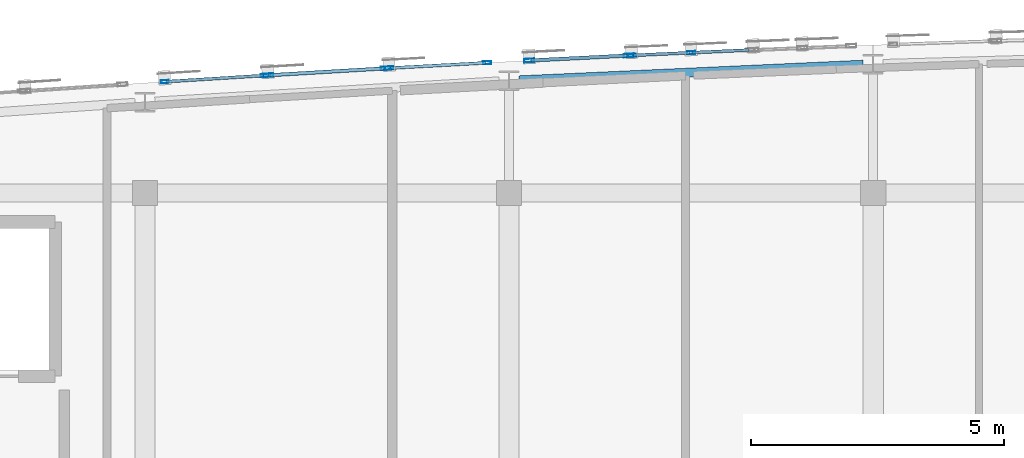
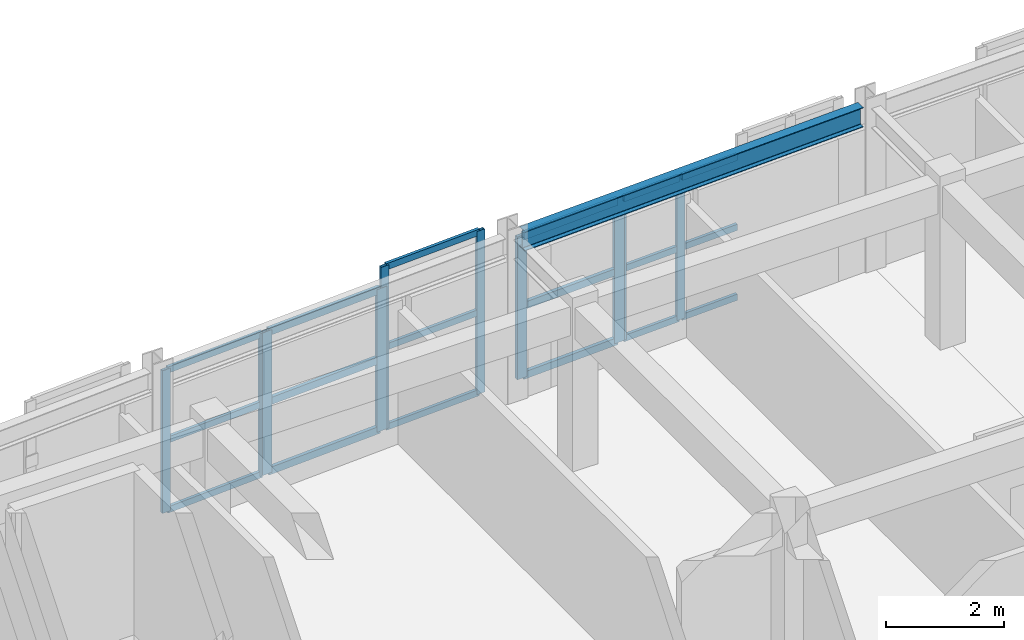
# One storey, part 12 of 34: 28 members, 1 beam, 5 elements without a shape of their own.
"""IFC4 building model written with IfcOpenShell, lengths in metres."""

import ifcopenshell
import ifcopenshell.guid

model = None  # the IFC model being written
_history = None  # IfcOwnerHistory: only IFC2X3 demands one
_inside = {}  # id of a spatial element -> (the spatial element, [elements in it])
_under = {}  # id of a project, library or spatial element -> (it, [spatial elements below it])
_declared = {}  # id of a project -> (the project, [libraries it declares])
_typed = {}  # id of a type object -> (the type object, [elements of that type])
_made_of = {}  # id of a material, layer set ... -> (it, [elements and type objects made of it])


def new_model(schema):
    """Start an empty IFC model of exactly this schema.

    Asked for "IFC4X3", IfcOpenShell would pick the latest addendum, in which some entities
    have other attributes; the version numbers below select the first issue.
    IFC2X3 requires an IfcOwnerHistory on every rooted entity: one is made here for all.
    """
    global model, _history
    if schema == "IFC4X3":
        model = ifcopenshell.file(schema_version=(4, 3, 0, 0))
    else:
        model = ifcopenshell.file(schema=schema)
    _inside.clear()
    _under.clear()
    _declared.clear()
    _typed.clear()
    _made_of.clear()
    _history = None
    if model.schema == "IFC2X3":
        org = make("IfcOrganization", Name="unknown")
        user = make(
            "IfcPersonAndOrganization",
            ThePerson=make("IfcPerson", FamilyName="unknown"),
            TheOrganization=org,
        )
        app = make(
            "IfcApplication",
            ApplicationDeveloper=org,
            Version="unknown",
            ApplicationFullName="unknown",
            ApplicationIdentifier="unknown",
        )
        _history = make(
            "IfcOwnerHistory",
            OwningUser=user,
            OwningApplication=app,
            ChangeAction="ADDED",
            CreationDate=0,
        )
    return model


def make(cls, **values):
    """One entity of the class cls with the attributes given. An attribute that is None is left unset."""
    return model.create_entity(
        cls, **{name: value for name, value in values.items() if value is not None}
    )


def rooted(cls, **values):
    """An entity with a GlobalId (a new one), such as an element, a storey or a relation."""
    return make(cls, GlobalId=ifcopenshell.guid.new(), OwnerHistory=_history, **values)


def si_unit(unit_type, name, prefix=None):
    """IfcSIUnit, for example si_unit("LENGTHUNIT", "METRE", prefix="MILLI")."""
    return make("IfcSIUnit", UnitType=unit_type, Prefix=prefix, Name=name)


def assignment(units):
    """IfcUnitAssignment: the units of a project."""
    return None if units is None else make("IfcUnitAssignment", Units=units)


def point(xyz):
    """IfcCartesianPoint."""
    return None if xyz is None else make("IfcCartesianPoint", Coordinates=xyz)


def direction(xyz):
    """IfcDirection."""
    return None if xyz is None else make("IfcDirection", DirectionRatios=xyz)


def frame(location, z_axis=None, x_axis=None):
    """IfcAxis2Placement3D, a coordinate frame: its origin and axes. An axis left out is left unset."""
    return make(
        "IfcAxis2Placement3D",
        Location=point(location),
        Axis=direction(z_axis),
        RefDirection=direction(x_axis),
    )


def frame_2d(location, x_axis=None):
    """IfcAxis2Placement2D, a coordinate frame in the plane: its origin and x axis."""
    return make(
        "IfcAxis2Placement2D", Location=point(location), RefDirection=direction(x_axis)
    )


def origin():
    """The frame at (0, 0, 0) with its axes left unset."""
    return frame((0.0, 0.0, 0.0))


def origin_2d():
    """The frame at (0, 0) in the plane with its x axis left unset."""
    return frame_2d((0.0, 0.0))


def place(relative_to, where):
    """IfcLocalPlacement: puts the frame where relative to a parent placement (None: the world)."""
    return make(
        "IfcLocalPlacement", PlacementRelTo=relative_to, RelativePlacement=where
    )


def context(
    kind, dimensions, precision=None, world=None, true_north=None, identifier=None
):
    """IfcGeometricRepresentationContext, for example the 3D "Model" context."""
    return make(
        "IfcGeometricRepresentationContext",
        ContextIdentifier=identifier,
        ContextType=kind,
        CoordinateSpaceDimension=dimensions,
        Precision=precision,
        WorldCoordinateSystem=world,
        TrueNorth=true_north,
    )


def subcontext(parent, identifier, kind, view, scale=None):
    """IfcGeometricRepresentationSubContext, for example "Body" below "Model"."""
    return make(
        "IfcGeometricRepresentationSubContext",
        ContextIdentifier=identifier,
        ContextType=kind,
        ParentContext=parent,
        TargetScale=scale,
        TargetView=view,
    )


def project(units=None, contexts=None):
    """IfcProject with its units and contexts."""
    return rooted(
        "IfcProject",
        Name="project",
        RepresentationContexts=contexts,
        UnitsInContext=assignment(units),
    )


def spatial(cls, under=None, at=None, **own):
    """A site, building, storey or space (cls), placed at a placement, below another one or the project."""
    s = rooted(cls, ObjectPlacement=at, **own)
    if under is not None:
        _under.setdefault(under.id(), (under, []))[1].append(s)
    return s


def profile(cls, at=None, kind="AREA", **sizes):
    """A parametric profile (cls). Its sizes go by their IFC names, for example OverallWidth=200.0."""
    return make(cls, ProfileType=kind, Position=at, **sizes)


def hollow_rectangle(**sizes):
    """IfcRectangleHollowProfileDef."""
    return profile("IfcRectangleHollowProfileDef", **sizes)


def i_section(**sizes):
    """IfcIShapeProfileDef."""
    return profile("IfcIShapeProfileDef", **sizes)


def extrude(swept, where, along, depth):
    """IfcExtrudedAreaSolid: the profile swept, set in the frame where, extruded along a direction by depth."""
    return make(
        "IfcExtrudedAreaSolid",
        SweptArea=swept,
        Position=where,
        ExtrudedDirection=direction(along),
        Depth=depth,
    )


def shape(context_of_items, identifier, shape_type, items):
    """IfcShapeRepresentation: the items that make up one representation, for example the "Body"."""
    return make(
        "IfcShapeRepresentation",
        ContextOfItems=context_of_items,
        RepresentationIdentifier=identifier,
        RepresentationType=shape_type,
        Items=items,
    )


def material(Name=None, Category=None):
    """IfcMaterial."""
    return make("IfcMaterial", Name=Name, Category=Category)


def layer(
    of_material, thickness, ventilated=None, Name=None, Category=None, Priority=None
):
    """IfcMaterialLayer: one layer of a wall or slab, of a material (None: an air gap)."""
    return make(
        "IfcMaterialLayer",
        Material=of_material,
        LayerThickness=thickness,
        IsVentilated=ventilated,
        Name=Name,
        Category=Category,
        Priority=Priority,
    )


def layer_set(layers, Name=None):
    """IfcMaterialLayerSet."""
    return make("IfcMaterialLayerSet", MaterialLayers=layers, LayerSetName=Name)


def material_profile(
    of_material, cross_section, Name=None, Category=None, Priority=None
):
    """IfcMaterialProfile: a cross section and its material."""
    return make(
        "IfcMaterialProfile",
        Name=Name,
        Material=of_material,
        Profile=cross_section,
        Priority=Priority,
        Category=Category,
    )


def profile_set(profiles, Name=None, composite=None):
    """IfcMaterialProfileSet."""
    return make(
        "IfcMaterialProfileSet",
        Name=Name,
        MaterialProfiles=profiles,
        CompositeProfile=composite,
    )


def made_of(thing, what):
    """Note that an element or type object is made of a material, layer set ...; save() writes the relation."""
    if what is not None:
        _made_of.setdefault(what.id(), (what, []))[1].append(thing)
    return thing


def type_object(cls, material=None, **own):
    """A type object (cls), such as IfcWallType, which elements share."""
    return made_of(rooted(cls, **own), material)


def element(
    cls,
    number,
    at=None,
    inside=None,
    cuts=None,
    type_object=None,
    material=None,
    context=None,
    identifier="Body",
    shape_type=None,
    held_by="IfcProductDefinitionShape",
    body=None,
    shapes=None,
    **own,
):
    """One element of the class cls, such as IfcWall. Its Tag is "e" and its number.

    at: its placement. inside: the storey or other place that contains it. cuts: it is an
    opening in that element (IfcRelVoidsElement). A single representation is given by context,
    identifier, shape_type and body (its items); several are given by shapes. held_by: the class
    of the entity that holds the representations. save() writes the other relations.
    """
    e = rooted(cls, Tag="e%d" % number, ObjectPlacement=at, **own)
    if body is not None:
        shapes = [shape(context, identifier, shape_type, body)]
    if shapes is not None:
        e.Representation = make(held_by, Representations=shapes)
    if inside is not None:
        _inside.setdefault(inside.id(), (inside, []))[1].append(e)
    if cuts is not None:
        rooted(
            "IfcRelVoidsElement", RelatingBuildingElement=cuts, RelatedOpeningElement=e
        )
    if type_object is not None:
        _typed.setdefault(type_object.id(), (type_object, []))[1].append(e)
    return made_of(e, material)


def aggregate(whole, parts):
    """IfcRelAggregates: a whole, such as a stair, and the parts it consists of."""
    return rooted("IfcRelAggregates", RelatingObject=whole, RelatedObjects=parts)


def save(model, path):
    """Write the relations noted so far, then the file.

    IfcRelAggregates (storeys below a building ...), IfcRelContainedInSpatialStructure (elements
    in a storey), IfcRelDefinesByType, IfcRelAssociatesMaterial and IfcRelDeclares: one each for
    every whole, place, type object, material and project.
    """
    for whole, parts in _under.values():
        aggregate(whole, parts)
    for where, things in _inside.values():
        rooted(
            "IfcRelContainedInSpatialStructure",
            RelatedElements=things,
            RelatingStructure=where,
        )
    for kind, things in _typed.values():
        rooted("IfcRelDefinesByType", RelatedObjects=things, RelatingType=kind)
    for what, things in _made_of.values():
        rooted("IfcRelAssociatesMaterial", RelatedObjects=things, RelatingMaterial=what)
    for by, libraries in _declared.values():
        rooted("IfcRelDeclares", RelatingContext=by, RelatedDefinitions=libraries)
    model.write(path)


model = new_model("IFC4")

# Units and contexts
model_context = context("Model", 3, precision=1e-05, world=origin(), true_north=direction((0.0, 1.0)))
body_context = subcontext(model_context, "Body", "Model", "MODEL_VIEW")
ifc_project = project(units=[si_unit("LENGTHUNIT", "METRE"), si_unit("AREAUNIT", "SQUARE_METRE"), si_unit("VOLUMEUNIT", "CUBIC_METRE"), si_unit("PLANEANGLEUNIT", "RADIAN"), si_unit("MASSUNIT", "GRAM", prefix="KILO")], contexts=[model_context])

# Site, building, storey
site_placement = place(None, origin())
site = spatial("IfcSite", under=ifc_project, at=site_placement, CompositionType="ELEMENT")
building_placement = place(site_placement, origin())
building = spatial("IfcBuilding", under=site, at=building_placement, Name="Carrowvane Square Congress Hotel", CompositionType="ELEMENT")
storey_placement = place(building_placement, frame((0.0, 0.0, 40.800048828125)))
storey = spatial("IfcBuildingStorey", under=building, at=storey_placement, Name="L10", CompositionType="ELEMENT", Elevation=40.800048828125)

# Beam
ifc_material_1 = material(Name="Steel S355", Category="steel")
ifc_material_profile_1 = material_profile(ifc_material_1, i_section(OverallWidth=0.1787109375, OverallDepth=0.409423828125, WebThickness=0.0087890625, FlangeThickness=0.014404296875, FilletRadius=0.01025390625, at=origin_2d()), Name="UKB 406x178x67")
ifc_profile_set_1 = profile_set([ifc_material_profile_1], Name="Steel S355")
beam_type = type_object("IfcBeamType", Name="BM-ST-UKB406", PredefinedType="BEAM", material=ifc_profile_set_1)
beam_placement = place(storey_placement, frame((76.59716796875, 115.62646484375, 3.17529296875), z_axis=(0.99897355857, 0.045297122185, 0.0), x_axis=(-0.045297122185, 0.99897355857, 0.0)))
element("IfcBeam", 1, at=beam_placement, inside=storey, type_object=beam_type, Name="L11 curved north spandrel", PredefinedType="BEAM", context=body_context, shape_type="SweptSolid", body=[
    extrude(i_section(OverallWidth=0.1787109375, OverallDepth=0.409423828125, WebThickness=0.0087890625, FlangeThickness=0.014404296875, FilletRadius=0.01025390625, at=origin_2d()), origin(), (0.0, 0.0, 1.0), 6.812744140625),
])

# Curtain wall, members
ifc_material_2 = material(Name="Anodised aluminium", Category="aluminium")
ifc_layer_1 = layer(ifc_material_2, 0.18603515625)
ifc_layer_set_1 = layer_set([ifc_layer_1], Name="Anodised aluminium")
curtain_wall_type_1 = type_object("IfcCurtainWallType", Name="CW-SYS-3", PredefinedType="NOTDEFINED", material=ifc_layer_set_1)
curtain_wall_1_placement = place(storey_placement, origin())
curtain_wall_1 = element("IfcCurtainWall", 2, at=curtain_wall_1_placement, inside=storey, type_object=curtain_wall_type_1, Name="L10 unitised curtain wall 562", PredefinedType="NOTDEFINED")
ifc_material_3 = material(Name="Anodised aluminium", Category="aluminium")
ifc_material_profile_2 = material_profile(ifc_material_3, hollow_rectangle(XDim=0.06005859375, YDim=0.159912109375, WallThickness=0.00390625, at=origin_2d()), Name="CW-ML 60x160x4")
ifc_profile_set_2 = profile_set([ifc_material_profile_2], Name="Anodised aluminium")
member_type_1 = type_object("IfcMemberType", Name="CW-MUL-1", PredefinedType="MULLION", material=ifc_profile_set_2)
member_1_placement = place(storey_placement, frame((69.58984375, 115.5986328125, 0.0), z_axis=(0.0, 0.0, 1.0), x_axis=(-0.062397474952, 0.998051378998, 0.0)))
member_1 = element("IfcMember", 3, at=member_1_placement, type_object=member_type_1, Name="CW-3 mullion 1", PredefinedType="MULLION", context=body_context, shape_type="SweptSolid", body=[
    extrude(hollow_rectangle(XDim=0.06005859375, YDim=0.159912109375, WallThickness=0.00390625, at=origin_2d()), origin(), (0.0, 0.0, 1.0), 2.95556640625),
])
member_2_placement = place(storey_placement, frame((71.570068359375, 115.722412109375, 0.0), z_axis=(0.0, 0.0, 1.0), x_axis=(-0.062397474952, 0.998051378998, 0.0)))
member_2 = element("IfcMember", 4, at=member_2_placement, type_object=member_type_1, Name="CW-3 mullion 2", PredefinedType="MULLION", context=body_context, shape_type="SweptSolid", body=[
    extrude(hollow_rectangle(XDim=0.06005859375, YDim=0.159912109375, WallThickness=0.00390625, at=origin_2d()), origin(), (0.0, 0.0, 1.0), 2.95556640625),
])

ifc_material_4 = material(Name="Anodised aluminium", Category="aluminium")
ifc_layer_2 = layer(ifc_material_4, 0.2099609375)
ifc_layer_set_2 = layer_set([ifc_layer_2], Name="Anodised aluminium")
curtain_wall_type_2 = type_object("IfcCurtainWallType", Name="CW-SYS-5", PredefinedType="NOTDEFINED", material=ifc_layer_set_2)
curtain_wall_2_placement = place(storey_placement, origin())
curtain_wall_2 = element("IfcCurtainWall", 5, at=curtain_wall_2_placement, inside=storey, type_object=curtain_wall_type_2, Name="L10 unitised curtain wall 564", PredefinedType="NOTDEFINED")
member_3_placement = place(storey_placement, frame((74.030029296875, 115.867431640625, 0.0), z_axis=(0.0, 0.0, 1.0), x_axis=(-0.054815980317, 0.998496473856, 0.0)))
member_3 = element("IfcMember", 6, at=member_3_placement, type_object=member_type_1, Name="CW-5 mullion 1", PredefinedType="MULLION", context=body_context, shape_type="SweptSolid", body=[
    extrude(hollow_rectangle(XDim=0.06005859375, YDim=0.159912109375, WallThickness=0.00390625, at=origin_2d()), origin(), (0.0, 0.0, 1.0), 3.3798828125),
])
member_4_placement = place(storey_placement, frame((75.965576171875, 115.9736328125, 0.0), z_axis=(0.0, 0.0, 1.0), x_axis=(-0.054815980317, 0.998496473856, 0.0)))
member_4 = element("IfcMember", 7, at=member_4_placement, type_object=member_type_1, Name="CW-5 mullion 2", PredefinedType="MULLION", context=body_context, shape_type="SweptSolid", body=[
    extrude(hollow_rectangle(XDim=0.06005859375, YDim=0.159912109375, WallThickness=0.00390625, at=origin_2d()), origin(), (0.0, 0.0, 1.0), 3.3798828125),
])

ifc_material_5 = material(Name="Anodised aluminium", Category="aluminium")
ifc_layer_3 = layer(ifc_material_5, 0.23388671875)
ifc_layer_set_3 = layer_set([ifc_layer_3], Name="Anodised aluminium")
curtain_wall_type_3 = type_object("IfcCurtainWallType", Name="CW-SYS-7", PredefinedType="NOTDEFINED", material=ifc_layer_set_3)
curtain_wall_3_placement = place(storey_placement, origin())
curtain_wall_3 = element("IfcCurtainWall", 8, at=curtain_wall_3_placement, inside=storey, type_object=curtain_wall_type_3, Name="L10 unitised curtain wall 566", PredefinedType="NOTDEFINED")
member_5_placement = place(storey_placement, frame((78.830078125, 116.119873046875, 0.0), z_axis=(0.0, 0.0, 1.0), x_axis=(-0.045411059449, 0.998968385726, 0.0)))
member_5 = element("IfcMember", 9, at=member_5_placement, type_object=member_type_1, Name="CW-7 mullion 1", PredefinedType="MULLION", context=body_context, shape_type="SweptSolid", body=[
    extrude(hollow_rectangle(XDim=0.06005859375, YDim=0.159912109375, WallThickness=0.00390625, at=origin_2d()), origin(), (0.0, 0.0, 1.0), 2.95556640625),
])
member_6_placement = place(storey_placement, frame((80.0, 116.173095703125, 0.0), z_axis=(0.0, 0.0, 1.0), x_axis=(-0.045411059449, 0.998968385726, 0.0)))
member_6 = element("IfcMember", 10, at=member_6_placement, type_object=member_type_1, Name="CW-7 mullion 2", PredefinedType="MULLION", context=body_context, shape_type="SweptSolid", body=[
    extrude(hollow_rectangle(XDim=0.06005859375, YDim=0.159912109375, WallThickness=0.00390625, at=origin_2d()), origin(), (0.0, 0.0, 1.0), 2.95556640625),
])

ifc_material_6 = material(Name="Anodised aluminium", Category="aluminium")
ifc_layer_4 = layer(ifc_material_6, 0.197998046875)
ifc_layer_set_4 = layer_set([ifc_layer_4], Name="Anodised aluminium")
curtain_wall_type_4 = type_object("IfcCurtainWallType", Name="CW-SYS-4", PredefinedType="NOTDEFINED", material=ifc_layer_set_4)
curtain_wall_4_placement = place(storey_placement, origin())
curtain_wall_4 = element("IfcCurtainWall", 11, at=curtain_wall_4_placement, inside=storey, type_object=curtain_wall_type_4, Name="L10 unitised curtain wall 563", PredefinedType="NOTDEFINED")
ifc_material_7 = material(Name="Anodised aluminium", Category="aluminium")
ifc_material_profile_3 = material_profile(ifc_material_7, hollow_rectangle(XDim=0.070068359375, YDim=0.199951171875, WallThickness=0.0048828125, at=origin_2d()), Name="CW-ML 70x200x5")
ifc_profile_set_3 = profile_set([ifc_material_profile_3], Name="Anodised aluminium")
member_type_2 = type_object("IfcMemberType", Name="CW-MUL-2", PredefinedType="MULLION", material=ifc_profile_set_3)
member_7_placement = place(storey_placement, frame((71.635009765625, 115.726318359375, 0.0), z_axis=(0.0, 0.0, 1.0), x_axis=(-0.058851249486, 0.998266763162, 0.0)))
member_7 = element("IfcMember", 12, at=member_7_placement, type_object=member_type_2, Name="CW-4 mullion 1", PredefinedType="MULLION", context=body_context, shape_type="SweptSolid", body=[
    extrude(hollow_rectangle(XDim=0.070068359375, YDim=0.199951171875, WallThickness=0.0048828125, at=origin_2d()), origin(), (0.0, 0.0, 1.0), 2.95556640625),
])
member_8_placement = place(storey_placement, frame((73.965087890625, 115.86376953125, 0.0), z_axis=(0.0, 0.0, 1.0), x_axis=(-0.058851249486, 0.998266763162, 0.0)))
member_8 = element("IfcMember", 13, at=member_8_placement, type_object=member_type_2, Name="CW-4 mullion 2", PredefinedType="MULLION", context=body_context, shape_type="SweptSolid", body=[
    extrude(hollow_rectangle(XDim=0.070068359375, YDim=0.199951171875, WallThickness=0.0048828125, at=origin_2d()), origin(), (0.0, 0.0, 1.0), 2.95556640625),
])

ifc_material_8 = material(Name="Anodised aluminium", Category="aluminium")
ifc_layer_5 = layer(ifc_material_8, 0.221923828125)
ifc_layer_set_5 = layer_set([ifc_layer_5], Name="Anodised aluminium")
curtain_wall_type_5 = type_object("IfcCurtainWallType", Name="CW-SYS-6", PredefinedType="NOTDEFINED", material=ifc_layer_set_5)
curtain_wall_5_placement = place(storey_placement, origin())
curtain_wall_5 = element("IfcCurtainWall", 14, at=curtain_wall_5_placement, inside=storey, type_object=curtain_wall_type_5, Name="L10 unitised curtain wall 565", PredefinedType="NOTDEFINED")
member_9_placement = place(storey_placement, frame((76.799560546875, 116.017822265625, 0.0), z_axis=(0.0, 0.0, 1.0), x_axis=(-0.050323791596, 0.998732955299, 0.0)))
member_9 = element("IfcMember", 15, at=member_9_placement, type_object=member_type_2, Name="CW-6 mullion 1", PredefinedType="MULLION", context=body_context, shape_type="SweptSolid", body=[
    extrude(hollow_rectangle(XDim=0.070068359375, YDim=0.199951171875, WallThickness=0.0048828125, at=origin_2d()), origin(), (0.0, 0.0, 1.0), 2.95556640625),
])
member_10_placement = place(storey_placement, frame((78.764892578125, 116.11669921875, 0.0), z_axis=(0.0, 0.0, 1.0), x_axis=(-0.050323791596, 0.998732955299, 0.0)))
member_10 = element("IfcMember", 16, at=member_10_placement, type_object=member_type_2, Name="CW-6 mullion 2", PredefinedType="MULLION", context=body_context, shape_type="SweptSolid", body=[
    extrude(hollow_rectangle(XDim=0.070068359375, YDim=0.199951171875, WallThickness=0.0048828125, at=origin_2d()), origin(), (0.0, 0.0, 1.0), 2.95556640625),
])

# Member
ifc_material_9 = material(Name="Anodised aluminium", Category="aluminium")
ifc_material_profile_4 = material_profile(ifc_material_9, hollow_rectangle(XDim=0.06005859375, YDim=0.1298828125, WallThickness=0.00390625, at=origin_2d()), Name="CW-TR 60x130x4")
ifc_profile_set_4 = profile_set([ifc_material_profile_4], Name="Anodised aluminium")
member_type_3 = type_object("IfcMemberType", Name="CW-TRN-1", PredefinedType="USERDEFINED", material=ifc_profile_set_4)
member_11_placement = place(storey_placement, frame((69.619873046875, 115.6005859375, 0.030029296875), z_axis=(0.998049120598, 0.062433587709, 0.0), x_axis=(-0.062433587709, 0.998049120598, 0.0)))
member_11 = element("IfcMember", 17, at=member_11_placement, type_object=member_type_3, Name="CW-3 transom 1.1", ObjectType="TRANSOM", PredefinedType="USERDEFINED", context=body_context, shape_type="SweptSolid", body=[
    extrude(hollow_rectangle(XDim=0.06005859375, YDim=0.1298828125, WallThickness=0.00390625, at=origin_2d()), origin(), (0.0, 0.0, 1.0), 1.923828125),
])

member_12_placement = place(storey_placement, frame((69.619873046875, 115.6005859375, 1.477783203125), z_axis=(0.998049120598, 0.062433587709, 0.0), x_axis=(-0.062433587709, 0.998049120598, 0.0)))
member_12 = element("IfcMember", 18, at=member_12_placement, type_object=member_type_3, Name="CW-3 transom 1.2", ObjectType="TRANSOM", PredefinedType="USERDEFINED", context=body_context, shape_type="SweptSolid", body=[
    extrude(hollow_rectangle(XDim=0.06005859375, YDim=0.1298828125, WallThickness=0.00390625, at=origin_2d()), origin(), (0.0, 0.0, 1.0), 1.923828125),
])

member_13_placement = place(storey_placement, frame((69.619873046875, 115.6005859375, 2.925537109375), z_axis=(0.998049120598, 0.062433587709, 0.0), x_axis=(-0.062433587709, 0.998049120598, 0.0)))
member_13 = element("IfcMember", 19, at=member_13_placement, type_object=member_type_3, Name="CW-3 transom 1.3", ObjectType="TRANSOM", PredefinedType="USERDEFINED", context=body_context, shape_type="SweptSolid", body=[
    extrude(hollow_rectangle(XDim=0.06005859375, YDim=0.1298828125, WallThickness=0.00390625, at=origin_2d()), origin(), (0.0, 0.0, 1.0), 1.923828125),
])

aggregate(curtain_wall_1, [member_1, member_2, member_11, member_12, member_13])

member_14_placement = place(storey_placement, frame((74.059814453125, 115.869140625, 0.030029296875), z_axis=(0.99849494655, 0.054843793758, 0.0), x_axis=(-0.054843793758, 0.99849494655, 0.0)))
member_14 = element("IfcMember", 20, at=member_14_placement, type_object=member_type_3, Name="CW-5 transom 1.1", ObjectType="TRANSOM", PredefinedType="USERDEFINED", context=body_context, shape_type="SweptSolid", body=[
    extrude(hollow_rectangle(XDim=0.06005859375, YDim=0.1298828125, WallThickness=0.00390625, at=origin_2d()), origin(), (0.0, 0.0, 1.0), 1.878662109375),
])

member_15_placement = place(storey_placement, frame((74.059814453125, 115.869140625, 1.68994140625), z_axis=(0.99849494655, 0.054843793758, 0.0), x_axis=(-0.054843793758, 0.99849494655, 0.0)))
member_15 = element("IfcMember", 21, at=member_15_placement, type_object=member_type_3, Name="CW-5 transom 1.2", ObjectType="TRANSOM", PredefinedType="USERDEFINED", context=body_context, shape_type="SweptSolid", body=[
    extrude(hollow_rectangle(XDim=0.06005859375, YDim=0.1298828125, WallThickness=0.00390625, at=origin_2d()), origin(), (0.0, 0.0, 1.0), 1.878662109375),
])

member_16_placement = place(storey_placement, frame((74.059814453125, 115.869140625, 3.349853515625), z_axis=(0.99849494655, 0.054843793758, 0.0), x_axis=(-0.054843793758, 0.99849494655, 0.0)))
member_16 = element("IfcMember", 22, at=member_16_placement, type_object=member_type_3, Name="CW-5 transom 1.3", ObjectType="TRANSOM", PredefinedType="USERDEFINED", context=body_context, shape_type="SweptSolid", body=[
    extrude(hollow_rectangle(XDim=0.06005859375, YDim=0.1298828125, WallThickness=0.00390625, at=origin_2d()), origin(), (0.0, 0.0, 1.0), 1.878662109375),
])

aggregate(curtain_wall_2, [member_3, member_4, member_14, member_15, member_16])

member_17_placement = place(storey_placement, frame((78.85986328125, 116.121337890625, 0.030029296875), z_axis=(0.998975323867, 0.045258173899, 0.0), x_axis=(-0.045258173899, 0.998975323867, 0.0)))
member_17 = element("IfcMember", 23, at=member_17_placement, type_object=member_type_3, Name="CW-7 transom 1.1", ObjectType="TRANSOM", PredefinedType="USERDEFINED", context=body_context, shape_type="SweptSolid", body=[
    extrude(hollow_rectangle(XDim=0.06005859375, YDim=0.1298828125, WallThickness=0.00390625, at=origin_2d()), origin(), (0.0, 0.0, 1.0), 1.111328125),
])

member_18_placement = place(storey_placement, frame((78.85986328125, 116.121337890625, 1.477783203125), z_axis=(0.998975323867, 0.045258173899, 0.0), x_axis=(-0.045258173899, 0.998975323867, 0.0)))
member_18 = element("IfcMember", 24, at=member_18_placement, type_object=member_type_3, Name="CW-7 transom 1.2", ObjectType="TRANSOM", PredefinedType="USERDEFINED", context=body_context, shape_type="SweptSolid", body=[
    extrude(hollow_rectangle(XDim=0.06005859375, YDim=0.1298828125, WallThickness=0.00390625, at=origin_2d()), origin(), (0.0, 0.0, 1.0), 1.111328125),
])

member_19_placement = place(storey_placement, frame((78.85986328125, 116.121337890625, 2.925537109375), z_axis=(0.998975323867, 0.045258173899, 0.0), x_axis=(-0.045258173899, 0.998975323867, 0.0)))
member_19 = element("IfcMember", 25, at=member_19_placement, type_object=member_type_3, Name="CW-7 transom 1.3", ObjectType="TRANSOM", PredefinedType="USERDEFINED", context=body_context, shape_type="SweptSolid", body=[
    extrude(hollow_rectangle(XDim=0.06005859375, YDim=0.1298828125, WallThickness=0.00390625, at=origin_2d()), origin(), (0.0, 0.0, 1.0), 1.111328125),
])

member_20_placement = place(storey_placement, frame((80.030029296875, 116.17431640625, 0.030029296875), z_axis=(0.99896536688, 0.045477420485, 0.0), x_axis=(-0.045477420485, 0.99896536688, 0.0)))
member_20 = element("IfcMember", 26, at=member_20_placement, type_object=member_type_3, Name="CW-7 transom 2.1", ObjectType="TRANSOM", PredefinedType="USERDEFINED", context=body_context, shape_type="SweptSolid", body=[
    extrude(hollow_rectangle(XDim=0.06005859375, YDim=0.1298828125, WallThickness=0.00390625, at=origin_2d()), origin(), (0.0, 0.0, 1.0), 1.111328125),
])

member_21_placement = place(storey_placement, frame((80.030029296875, 116.17431640625, 1.477783203125), z_axis=(0.99896536688, 0.045477420485, 0.0), x_axis=(-0.045477420485, 0.99896536688, 0.0)))
member_21 = element("IfcMember", 27, at=member_21_placement, type_object=member_type_3, Name="CW-7 transom 2.2", ObjectType="TRANSOM", PredefinedType="USERDEFINED", context=body_context, shape_type="SweptSolid", body=[
    extrude(hollow_rectangle(XDim=0.06005859375, YDim=0.1298828125, WallThickness=0.00390625, at=origin_2d()), origin(), (0.0, 0.0, 1.0), 1.111328125),
])

member_22_placement = place(storey_placement, frame((80.030029296875, 116.17431640625, 2.925537109375), z_axis=(0.99896536688, 0.045477420485, 0.0), x_axis=(-0.045477420485, 0.99896536688, 0.0)))
member_22 = element("IfcMember", 28, at=member_22_placement, type_object=member_type_3, Name="CW-7 transom 2.3", ObjectType="TRANSOM", PredefinedType="USERDEFINED", context=body_context, shape_type="SweptSolid", body=[
    extrude(hollow_rectangle(XDim=0.06005859375, YDim=0.1298828125, WallThickness=0.00390625, at=origin_2d()), origin(), (0.0, 0.0, 1.0), 1.111328125),
])

aggregate(curtain_wall_3, [member_5, member_6, member_17, member_18, member_19, member_20, member_21, member_22])

ifc_material_10 = material(Name="Anodised aluminium", Category="aluminium")
ifc_material_profile_5 = material_profile(ifc_material_10, hollow_rectangle(XDim=0.070068359375, YDim=0.14990234375, WallThickness=0.0048828125, at=origin_2d()), Name="CW-TR 70x150x5")
ifc_profile_set_5 = profile_set([ifc_material_profile_5], Name="Anodised aluminium")
member_type_4 = type_object("IfcMemberType", Name="CW-TRN-2", PredefinedType="USERDEFINED", material=ifc_profile_set_5)
member_23_placement = place(storey_placement, frame((71.669921875, 115.728515625, 0.034912109375), z_axis=(0.998265438007, 0.058873723175, 0.0), x_axis=(-0.058873723175, 0.998265438007, 0.0)))
member_23 = element("IfcMember", 29, at=member_23_placement, type_object=member_type_4, Name="CW-4 transom 1.1", ObjectType="TRANSOM", PredefinedType="USERDEFINED", context=body_context, shape_type="SweptSolid", body=[
    extrude(hollow_rectangle(XDim=0.070068359375, YDim=0.14990234375, WallThickness=0.0048828125, at=origin_2d()), origin(), (0.0, 0.0, 1.0), 2.26416015625),
])

member_24_placement = place(storey_placement, frame((71.669921875, 115.728515625, 1.477783203125), z_axis=(0.998265438007, 0.058873723175, 0.0), x_axis=(-0.058873723175, 0.998265438007, 0.0)))
member_24 = element("IfcMember", 30, at=member_24_placement, type_object=member_type_4, Name="CW-4 transom 1.2", ObjectType="TRANSOM", PredefinedType="USERDEFINED", context=body_context, shape_type="SweptSolid", body=[
    extrude(hollow_rectangle(XDim=0.070068359375, YDim=0.14990234375, WallThickness=0.0048828125, at=origin_2d()), origin(), (0.0, 0.0, 1.0), 2.26416015625),
])

member_25_placement = place(storey_placement, frame((71.669921875, 115.728515625, 2.920654296875), z_axis=(0.998265438007, 0.058873723175, 0.0), x_axis=(-0.058873723175, 0.998265438007, 0.0)))
member_25 = element("IfcMember", 31, at=member_25_placement, type_object=member_type_4, Name="CW-4 transom 1.3", ObjectType="TRANSOM", PredefinedType="USERDEFINED", context=body_context, shape_type="SweptSolid", body=[
    extrude(hollow_rectangle(XDim=0.070068359375, YDim=0.14990234375, WallThickness=0.0048828125, at=origin_2d()), origin(), (0.0, 0.0, 1.0), 2.26416015625),
])

aggregate(curtain_wall_4, [member_7, member_8, member_23, member_24, member_25])

member_26_placement = place(storey_placement, frame((76.83447265625, 116.01953125, 0.034912109375), z_axis=(0.998734310046, 0.050296897891, 0.0), x_axis=(-0.050296897891, 0.998734310046, 0.0)))
member_26 = element("IfcMember", 32, at=member_26_placement, type_object=member_type_4, Name="CW-6 transom 1.1", ObjectType="TRANSOM", PredefinedType="USERDEFINED", context=body_context, shape_type="SweptSolid", body=[
    extrude(hollow_rectangle(XDim=0.070068359375, YDim=0.14990234375, WallThickness=0.0048828125, at=origin_2d()), origin(), (0.0, 0.0, 1.0), 1.89794921875),
])

member_27_placement = place(storey_placement, frame((76.83447265625, 116.01953125, 1.477783203125), z_axis=(0.998734310046, 0.050296897891, 0.0), x_axis=(-0.050296897891, 0.998734310046, 0.0)))
member_27 = element("IfcMember", 33, at=member_27_placement, type_object=member_type_4, Name="CW-6 transom 1.2", ObjectType="TRANSOM", PredefinedType="USERDEFINED", context=body_context, shape_type="SweptSolid", body=[
    extrude(hollow_rectangle(XDim=0.070068359375, YDim=0.14990234375, WallThickness=0.0048828125, at=origin_2d()), origin(), (0.0, 0.0, 1.0), 1.89794921875),
])

member_28_placement = place(storey_placement, frame((76.83447265625, 116.01953125, 2.920654296875), z_axis=(0.998734310046, 0.050296897891, 0.0), x_axis=(-0.050296897891, 0.998734310046, 0.0)))
member_28 = element("IfcMember", 34, at=member_28_placement, type_object=member_type_4, Name="CW-6 transom 1.3", ObjectType="TRANSOM", PredefinedType="USERDEFINED", context=body_context, shape_type="SweptSolid", body=[
    extrude(hollow_rectangle(XDim=0.070068359375, YDim=0.14990234375, WallThickness=0.0048828125, at=origin_2d()), origin(), (0.0, 0.0, 1.0), 1.89794921875),
])

aggregate(curtain_wall_5, [member_9, member_10, member_26, member_27, member_28])

save(model, "model.ifc")
